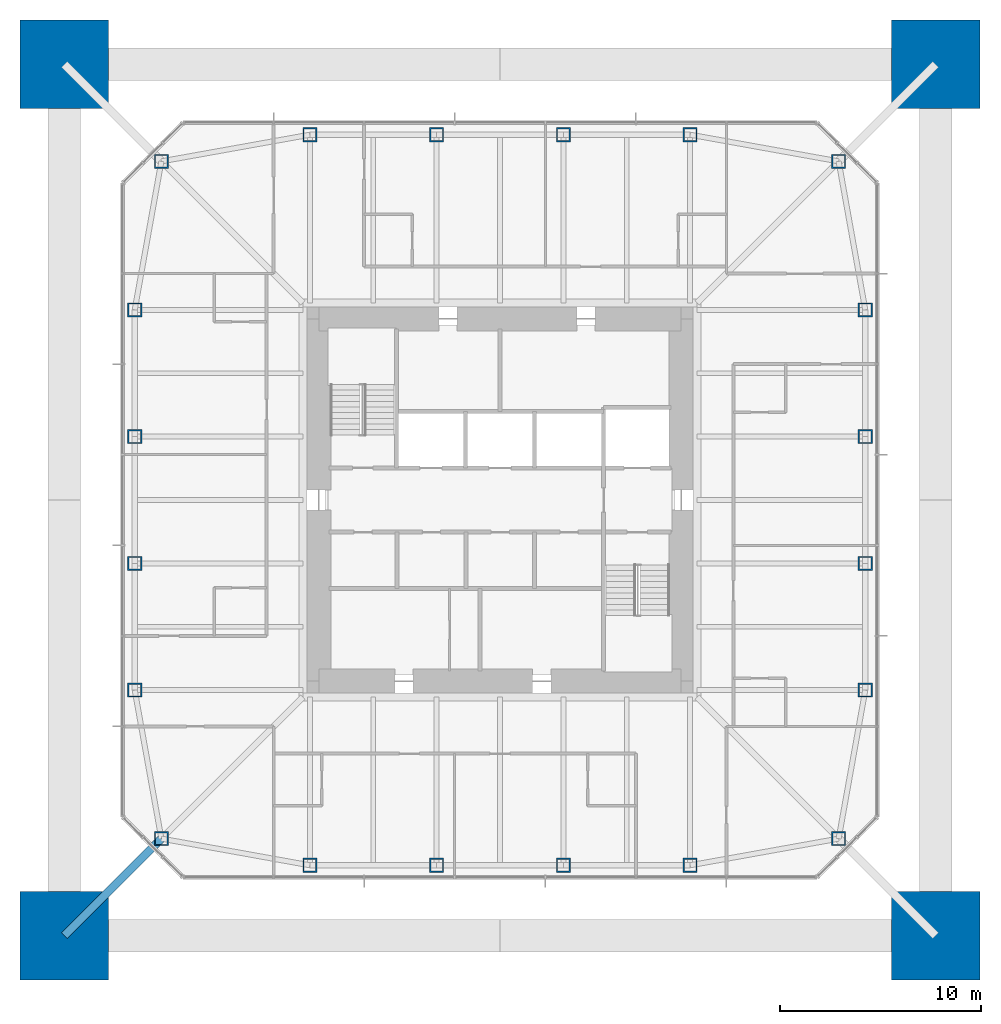
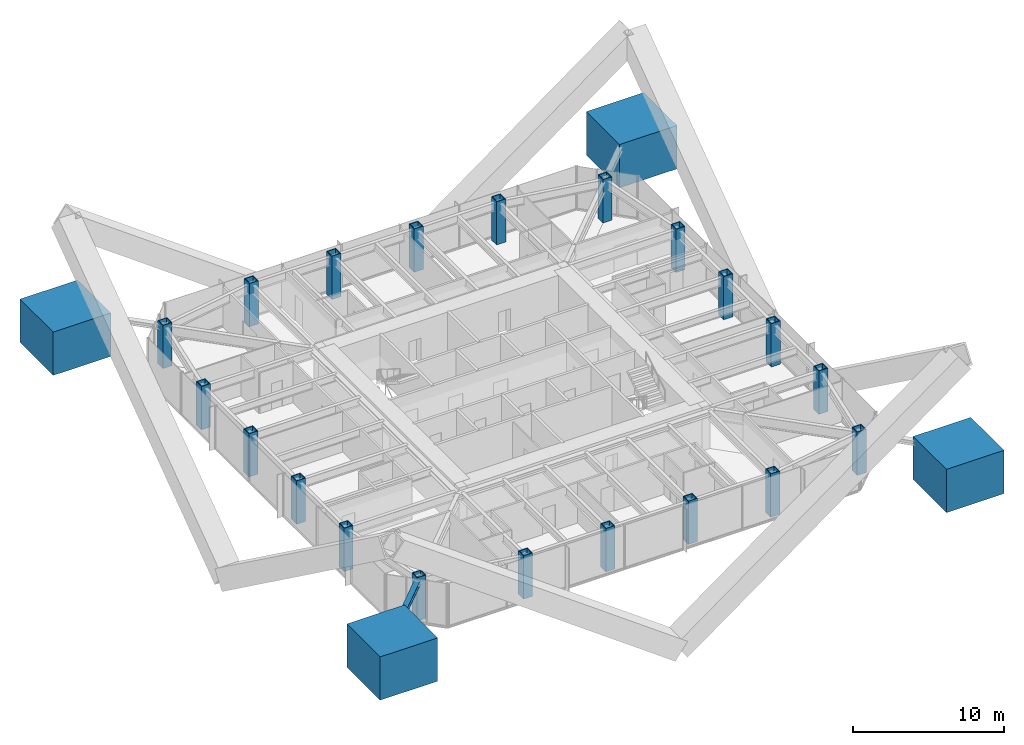
# One storey, part 1 of 13: 24 columns, 1 member.
"""IFC4 building model written with IfcOpenShell, lengths in metres."""

from ifc_helpers import new_model, si_unit, direction, frame, origin, origin_2d, place, context, subcontext, project, spatial, rectangle, hollow_rectangle, i_section, extrude, material, material_profile, profile_set, type_object, element, save


model = new_model("IFC4")

# Units and contexts
model_context = context("Model", 3, precision=1e-05, world=origin(), true_north=direction((0.0, 1.0)))
body_context = subcontext(model_context, "Body", "Model", "MODEL_VIEW")
ifc_project = project(units=[si_unit("LENGTHUNIT", "METRE"), si_unit("AREAUNIT", "SQUARE_METRE"), si_unit("VOLUMEUNIT", "CUBIC_METRE"), si_unit("PLANEANGLEUNIT", "RADIAN"), si_unit("MASSUNIT", "GRAM", prefix="KILO")], contexts=[model_context])

# Site, building, storey
site_placement = place(None, origin())
site = spatial("IfcSite", under=ifc_project, at=site_placement, CompositionType="ELEMENT")
building_placement = place(site_placement, origin())
building = spatial("IfcBuilding", under=site, at=building_placement, Name="Iwan Alto Co-Living Towers", CompositionType="ELEMENT")
storey_placement = place(building_placement, frame((0.0, 0.0, 198.5)))
storey = spatial("IfcBuildingStorey", under=building, at=storey_placement, Name="L54", CompositionType="ELEMENT", Elevation=198.5)

# Columns
ifc_material_1 = material(Name="Concrete f'c 70 MPa", Category="concrete")
ifc_material_profile_1 = material_profile(ifc_material_1, rectangle(XDim=4.39990234375, YDim=4.39990234375, at=origin_2d()), Name="RC 4400X4400")
ifc_profile_set_1 = profile_set([ifc_material_profile_1], Name="Concrete f'c 70 MPa")
column_type_1 = type_object("IfcColumnType", Name="T1 MEGA COLUMN RC 4400X4400", PredefinedType="COLUMN", material=ifc_profile_set_1)
for number, where, z_axis, x_axis, name in (
    (1, (-21.64990234375, -21.64990234375, 0.0), (0.0, 0.0, 1.0), (1.0, 0.0, 0.0), "T1 mega column SW L54"),
    (2, (21.64990234375, -21.64990234375, 0.0), (0.0, 0.0, 1.0), (1.0, 0.0, 0.0), "T1 mega column SE L54"),
    (3, (21.64990234375, 21.64990234375, 0.0), (0.0, 0.0, 1.0), (1.0, 0.0, 0.0), "T1 mega column NE L54"),
    (4, (-21.64990234375, 21.64990234375, 0.0), (0.0, 0.0, 1.0), (1.0, 0.0, 0.0), "T1 mega column NW L54"),
):
    element("IfcColumn", number, at=place(storey_placement, frame(where, z_axis=z_axis, x_axis=x_axis)), inside=storey, type_object=column_type_1, Name=name, PredefinedType="COLUMN", context=body_context, shape_type="SweptSolid", body=[
        extrude(rectangle(XDim=4.39990234375, YDim=4.39990234375, at=origin_2d()), origin(), (0.0, 0.0, 1.0), 3.5),
        extrude(i_section(OverallWidth=0.4775390625, OverallDepth=0.599365234375, WebThickness=0.10009765625, FlangeThickness=0.139892578125, at=origin_2d()), origin(), (0.0, 0.0, 1.0), 3.5),
    ])
ifc_material_2 = material(Name="Steel ASTM A572 Gr 50", Category="steel")
ifc_material_profile_2 = material_profile(ifc_material_2, hollow_rectangle(XDim=0.699951171875, YDim=0.699951171875, WallThickness=0.06005859375, at=origin_2d()), Name="BOX 700X700X60")
ifc_profile_set_2 = profile_set([ifc_material_profile_2], Name="Steel ASTM A572 Gr 50")
column_type_2 = type_object("IfcColumnType", Name="T1 RING COLUMN BOX 700X700X60", PredefinedType="COLUMN", material=ifc_profile_set_2)
for number, where, z_axis, x_axis, name in (
    (5, (-16.82568359375, -16.82568359375, 0.0), (0.0, 0.0, 1.0), (1.0, 0.0, 0.0), "T1 ring column CSW L54"),
    (6, (-9.449951171875, -18.14990234375, 0.0), (0.0, 0.0, 1.0), (1.0, 0.0, 0.0), "T1 ring column S1 L54"),
    (7, (-3.14990234375, -18.14990234375, 0.0), (0.0, 0.0, 1.0), (1.0, 0.0, 0.0), "T1 ring column S2 L54"),
    (8, (3.14990234375, -18.14990234375, 0.0), (0.0, 0.0, 1.0), (1.0, 0.0, 0.0), "T1 ring column S3 L54"),
    (9, (9.449951171875, -18.14990234375, 0.0), (0.0, 0.0, 1.0), (1.0, 0.0, 0.0), "T1 ring column S4 L54"),
    (10, (16.82568359375, -16.82568359375, 0.0), (0.0, 0.0, 1.0), (1.0, 0.0, 0.0), "T1 ring column CSE L54"),
    (11, (18.14990234375, -9.449951171875, 0.0), (0.0, 0.0, 1.0), (1.0, 0.0, 0.0), "T1 ring column E1 L54"),
    (12, (18.14990234375, -3.14990234375, 0.0), (0.0, 0.0, 1.0), (1.0, 0.0, 0.0), "T1 ring column E2 L54"),
    (13, (18.14990234375, 3.14990234375, 0.0), (0.0, 0.0, 1.0), (1.0, 0.0, 0.0), "T1 ring column E3 L54"),
    (14, (18.14990234375, 9.449951171875, 0.0), (0.0, 0.0, 1.0), (1.0, 0.0, 0.0), "T1 ring column E4 L54"),
    (15, (16.82568359375, 16.82568359375, 0.0), (0.0, 0.0, 1.0), (1.0, 0.0, 0.0), "T1 ring column CNE L54"),
    (16, (9.449951171875, 18.14990234375, 0.0), (0.0, 0.0, 1.0), (1.0, 0.0, 0.0), "T1 ring column N1 L54"),
    (17, (3.14990234375, 18.14990234375, 0.0), (0.0, 0.0, 1.0), (1.0, 0.0, 0.0), "T1 ring column N2 L54"),
    (18, (-3.14990234375, 18.14990234375, 0.0), (0.0, 0.0, 1.0), (1.0, 0.0, 0.0), "T1 ring column N3 L54"),
    (19, (-9.449951171875, 18.14990234375, 0.0), (0.0, 0.0, 1.0), (1.0, 0.0, 0.0), "T1 ring column N4 L54"),
    (20, (-16.82568359375, 16.82568359375, 0.0), (0.0, 0.0, 1.0), (1.0, 0.0, 0.0), "T1 ring column CNW L54"),
    (21, (-18.14990234375, 9.449951171875, 0.0), (0.0, 0.0, 1.0), (1.0, 0.0, 0.0), "T1 ring column W1 L54"),
    (22, (-18.14990234375, 3.14990234375, 0.0), (0.0, 0.0, 1.0), (1.0, 0.0, 0.0), "T1 ring column W2 L54"),
    (23, (-18.14990234375, -3.14990234375, 0.0), (0.0, 0.0, 1.0), (1.0, 0.0, 0.0), "T1 ring column W3 L54"),
    (24, (-18.14990234375, -9.449951171875, 0.0), (0.0, 0.0, 1.0), (1.0, 0.0, 0.0), "T1 ring column W4 L54"),
):
    element("IfcColumn", number, at=place(storey_placement, frame(where, z_axis=z_axis, x_axis=x_axis)), inside=storey, type_object=column_type_2, Name=name, PredefinedType="COLUMN", context=body_context, shape_type="SweptSolid", body=[
        extrude(hollow_rectangle(XDim=0.699951171875, YDim=0.699951171875, WallThickness=0.06005859375, at=origin_2d()), origin(), (0.0, 0.0, 1.0), 3.5),
    ])

# Member
ifc_material_3 = material(Name="Steel ASTM A992 Gr 50", Category="steel")
ifc_material_profile_3 = material_profile(ifc_material_3, i_section(OverallWidth=0.393798828125, OverallDepth=0.3759765625, WebThickness=0.017333984375, FlangeThickness=0.027587890625, at=origin_2d()), Name="W14X145")
ifc_profile_set_3 = profile_set([ifc_material_profile_3], Name="Steel ASTM A992 Gr 50")
member_type = type_object("IfcMemberType", Name="T1 MEGA COLUMN FLOOR TIE W14X145", PredefinedType="STRUT", material=ifc_profile_set_3)
member_placement = place(storey_placement, frame((-21.64990234375, -21.64990234375, 3.08203125), z_axis=(0.707106781187, 0.707106781187, 0.0), x_axis=(-0.707106781187, 0.707106781187, 0.0)))
element("IfcMember", 25, at=member_placement, inside=storey, type_object=member_type, Name="T1 mega column floor tie SW L55", PredefinedType="STRUT", context=body_context, shape_type="SweptSolid", body=[
    extrude(i_section(OverallWidth=0.393798828125, OverallDepth=0.3759765625, WebThickness=0.017333984375, FlangeThickness=0.027587890625, at=origin_2d()), origin(), (0.0, 0.0, 1.0), 6.822509765625),
])

save(model, "model.ifc")
